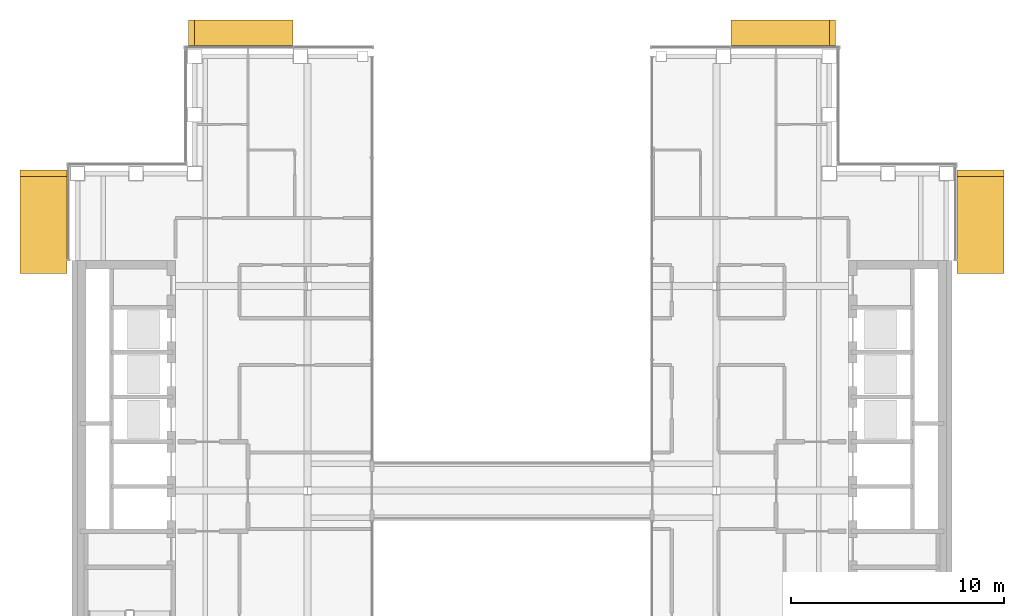
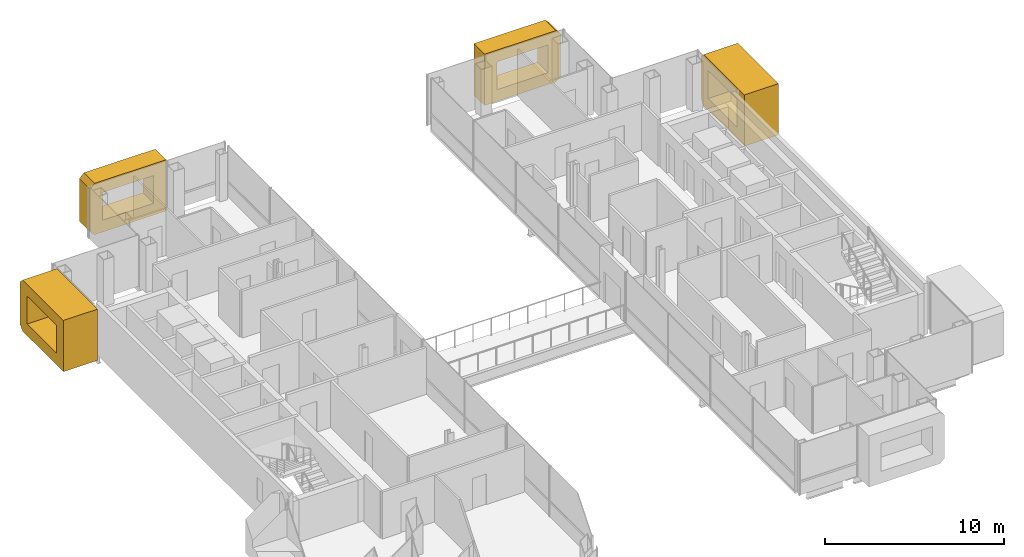
# One storey, part 16 of 17: 4 coverings.
"""IFC4 building model written with IfcOpenShell, lengths in metres."""

from ifc_helpers import new_model, si_unit, direction, frame, origin, place, context, subcontext, project, spatial, polyline, outline, extrude, material, type_object, element, save


model = new_model("IFC4")

# Units and contexts
model_context = context("Model", 3, precision=1e-05, world=origin(), true_north=direction((0.0, 1.0)))
body_context = subcontext(model_context, "Body", "Model", "MODEL_VIEW")
ifc_project = project(units=[si_unit("LENGTHUNIT", "METRE"), si_unit("AREAUNIT", "SQUARE_METRE"), si_unit("VOLUMEUNIT", "CUBIC_METRE"), si_unit("PLANEANGLEUNIT", "RADIAN"), si_unit("MASSUNIT", "GRAM", prefix="KILO")], contexts=[model_context])

# Site, building, storey
site_placement = place(None, origin())
site = spatial("IfcSite", under=ifc_project, at=site_placement, CompositionType="ELEMENT")
building_placement = place(site_placement, origin())
building = spatial("IfcBuilding", under=site, at=building_placement, Name="Cobrizo Arcos Hotel Tower", CompositionType="ELEMENT")
storey_placement = place(building_placement, frame((0.0, 0.0, 233.0)))
storey = spatial("IfcBuildingStorey", under=building, at=storey_placement, Name="L61", CompositionType="ELEMENT", Elevation=233.0)

# Coverings
ifc_material = material(Name="Aluminium 6063-T6 anodised bronze", Category="aluminium")
covering_type_1 = type_object("IfcCoveringType", Name="FIN-F 1200", PredefinedType="CLADDING", material=ifc_material)
covering_1_placement = place(storey_placement, frame((15.199951171875, 20.89990234375, 0.0), z_axis=(0.0, 1.0, 0.0), x_axis=(-1.0, 0.0, 0.0)))
element("IfcCovering", 1, at=covering_1_placement, inside=storey, type_object=covering_type_1, Name="Fin frame 307", PredefinedType="CLADDING", context=body_context, shape_type="SweptSolid", body=[
    extrude(outline(polyline([(0.0, 0.300048828125), (0.300048828125, 0.0), (4.908203125, 0.0), (4.908203125, 3.5), (0.300048828125, 3.5), (0.0, 3.199951171875), (0.0, 0.300048828125)]), holes=[polyline([(4.1083984375, 0.800048828125), (0.800048828125, 0.800048828125), (0.800048828125, 2.699951171875), (4.1083984375, 2.699951171875), (4.1083984375, 0.800048828125)])]), origin(), (0.0, 0.0, 1.0), 1.2001953125),
])
covering_2_placement = place(storey_placement, frame((-10.291748046875, 20.89990234375, 0.0), z_axis=(0.0, 1.0, 0.0), x_axis=(-1.0, 0.0, 0.0)))
element("IfcCovering", 2, at=covering_2_placement, inside=storey, type_object=covering_type_1, Name="Fin frame 308", PredefinedType="CLADDING", context=body_context, shape_type="SweptSolid", body=[
    extrude(outline(polyline([(0.0, 3.5), (0.0, 0.0), (4.6083984375, 0.0), (4.908203125, 0.300048828125), (4.908203125, 3.199951171875), (4.6083984375, 3.5), (0.0, 3.5)]), holes=[polyline([(4.1083984375, 0.800048828125), (0.800048828125, 0.800048828125), (0.800048828125, 2.699951171875), (4.1083984375, 2.699951171875), (4.1083984375, 0.800048828125)])]), origin(), (0.0, 0.0, 1.0), 1.2001953125),
])
covering_type_2 = type_object("IfcCoveringType", Name="FIN-F 2200", PredefinedType="CLADDING", material=ifc_material)
covering_3_placement = place(storey_placement, frame((20.89990234375, 10.191650390625, 0.0), z_axis=(1.0, 0.0, 0.0), x_axis=(0.0, 1.0, 0.0)))
element("IfcCovering", 3, at=covering_3_placement, inside=storey, type_object=covering_type_2, Name="Fin frame 326", PredefinedType="CLADDING", context=body_context, shape_type="SweptSolid", body=[
    extrude(outline(polyline([(0.0, 3.5), (0.0, 0.0), (4.558349609375, 0.0), (4.8583984375, 0.300048828125), (4.8583984375, 3.199951171875), (4.558349609375, 3.5), (0.0, 3.5)]), holes=[polyline([(4.058349609375, 0.800048828125), (0.800048828125, 0.800048828125), (0.800048828125, 2.699951171875), (4.058349609375, 2.699951171875), (4.058349609375, 0.800048828125)])]), origin(), (0.0, 0.0, 1.0), 2.2001953125),
])
covering_4_placement = place(storey_placement, frame((-20.89990234375, 15.050048828125, 0.0), z_axis=(-1.0, 0.0, 0.0), x_axis=(0.0, -1.0, 0.0)))
element("IfcCovering", 4, at=covering_4_placement, inside=storey, type_object=covering_type_2, Name="Fin frame 361", PredefinedType="CLADDING", context=body_context, shape_type="SweptSolid", body=[
    extrude(outline(polyline([(0.0, 0.300048828125), (0.300048828125, 0.0), (4.8583984375, 0.0), (4.8583984375, 3.5), (0.300048828125, 3.5), (0.0, 3.199951171875), (0.0, 0.300048828125)]), holes=[polyline([(4.058349609375, 0.800048828125), (0.800048828125, 0.800048828125), (0.800048828125, 2.699951171875), (4.058349609375, 2.699951171875), (4.058349609375, 0.800048828125)])]), origin(), (0.0, 0.0, 1.0), 2.2001953125),
])

save(model, "model.ifc")
